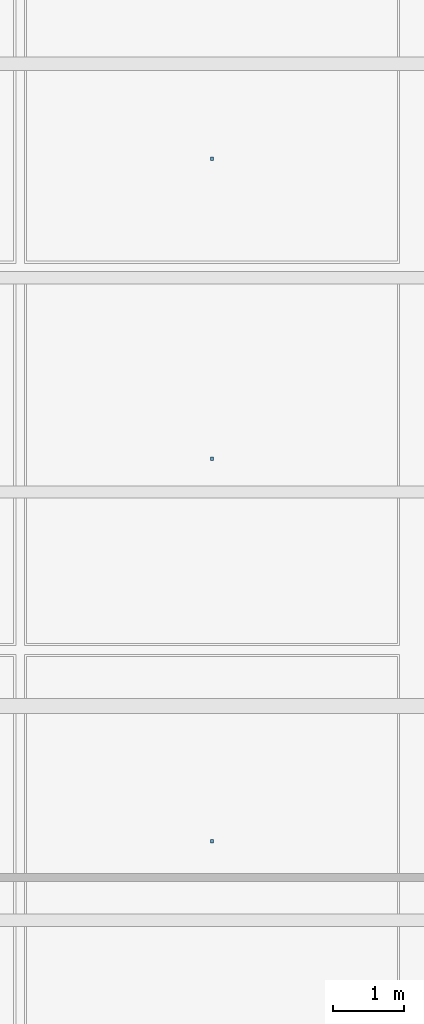
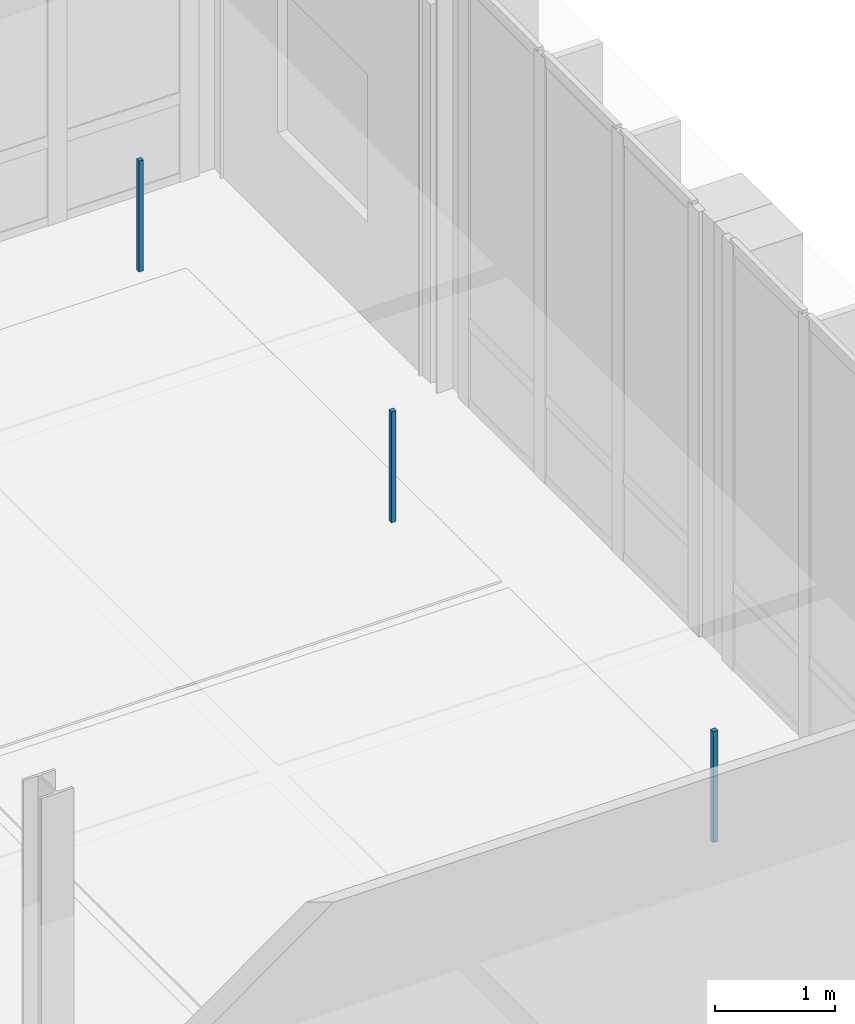
# One storey, part 77 of 89: 3 discrete accessories.
"""IFC4 building model written with IfcOpenShell, lengths in metres."""

from ifc_helpers import new_model, si_unit, direction, frame, origin, origin_2d, place, context, subcontext, project, spatial, rectangle, extrude, material, type_object, element, save


model = new_model("IFC4")

# Units and contexts
model_context = context("Model", 3, precision=1e-05, world=origin(), true_north=direction((0.0, 1.0)))
body_context = subcontext(model_context, "Body", "Model", "MODEL_VIEW")
ifc_project = project(units=[si_unit("LENGTHUNIT", "METRE"), si_unit("AREAUNIT", "SQUARE_METRE"), si_unit("VOLUMEUNIT", "CUBIC_METRE"), si_unit("PLANEANGLEUNIT", "RADIAN"), si_unit("MASSUNIT", "GRAM", prefix="KILO"), si_unit("THERMODYNAMICTEMPERATUREUNIT", "KELVIN"), si_unit("POWERUNIT", "WATT")], contexts=[model_context])

# Site, building, storey
site_placement = place(None, origin())
site = spatial("IfcSite", under=ifc_project, at=site_placement, CompositionType="ELEMENT")
building_placement = place(site_placement, origin())
building = spatial("IfcBuilding", under=site, at=building_placement, Name="Tallowbark Science Centre", CompositionType="ELEMENT")
storey_placement = place(building_placement, frame((0.0, 0.0, 14.39990234375)))
storey = spatial("IfcBuildingStorey", under=building, at=storey_placement, Name="L03", CompositionType="ELEMENT", Elevation=14.39990234375)

# Discrete accessories
ifc_material = material(Name="Galvanised Steel Grade C350L0 (350 MPa)", Category="steel")
discrete_accessory_type = type_object("IfcDiscreteAccessoryType", Name="ACC-CLG-HNG", PredefinedType="BRACKET", material=ifc_material)
for number, where, z_axis, x_axis, name in (
    (1, (153.8125, 97.107177734375, 3.2060546875), (0.0, 0.0, 1.0), (1.0, 0.0, 0.0), "Ceiling Hanger Bracket L03-1065"),
    (2, (153.8125, 102.46435546875, 3.2060546875), (0.0, 0.0, 1.0), (1.0, 0.0, 0.0), "Ceiling Hanger Bracket L03-1066"),
    (3, (153.8125, 106.66650390625, 3.2060546875), (0.0, 0.0, 1.0), (1.0, 0.0, 0.0), "Ceiling Hanger Bracket L03-1067"),
):
    element("IfcDiscreteAccessory", number, at=place(storey_placement, frame(where, z_axis=z_axis, x_axis=x_axis)), inside=storey, type_object=discrete_accessory_type, Name=name, PredefinedType="BRACKET", context=body_context, shape_type="SweptSolid", body=[
        extrude(rectangle(XDim=0.044921875, YDim=0.044921875, at=origin_2d()), origin(), (0.0, 0.0, 1.0), 1.126953125),
    ])

save(model, "model.ifc")
